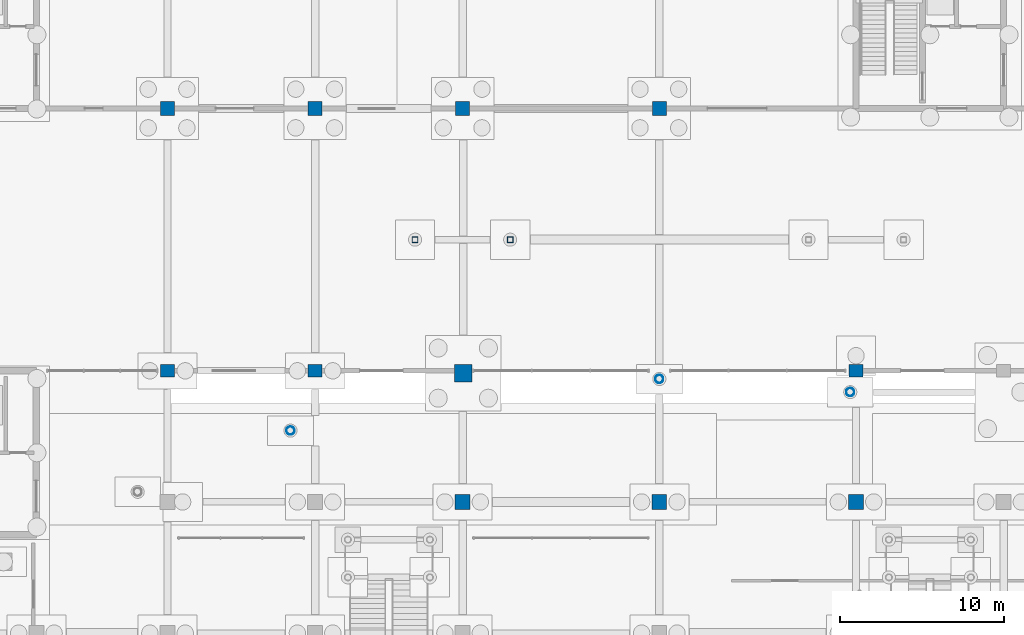
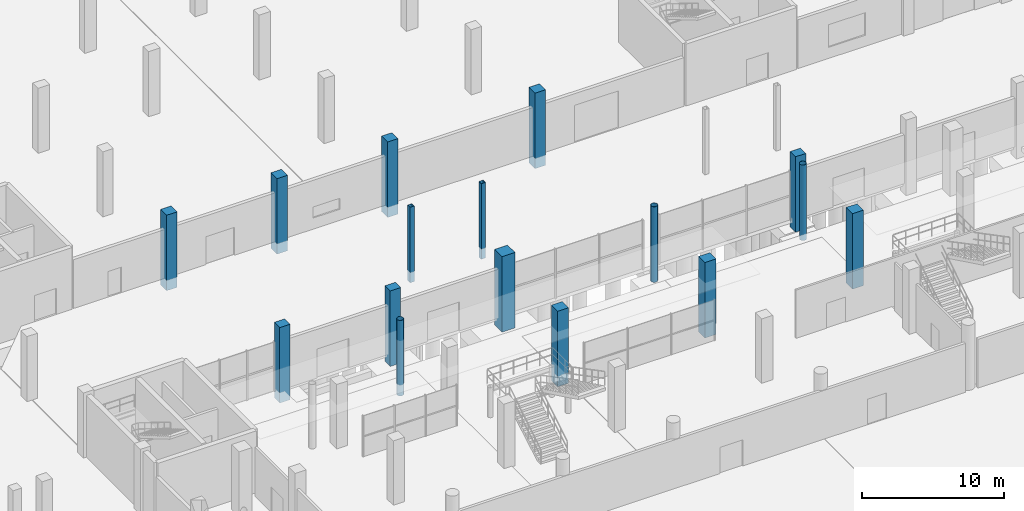
# One storey, part 24 of 98: 16 columns.
"""IFC4 building model written with IfcOpenShell, lengths in metres."""

from ifc_helpers import new_model, si_unit, derived_unit, direction, frame, origin, origin_2d, place, context, subcontext, project, spatial, rectangle, hollow_rectangle, hollow_circle, extrude, material, material_profile, profile_set, type_object, element, save


model = new_model("IFC4")

# Units and contexts
model_context = context("Model", 3, precision=1e-05, world=origin(), true_north=direction((0.0, 1.0)))
body_context = subcontext(model_context, "Body", "Model", "MODEL_VIEW")
ifc_project = project(units=[si_unit("LENGTHUNIT", "METRE"), si_unit("AREAUNIT", "SQUARE_METRE"), si_unit("VOLUMEUNIT", "CUBIC_METRE"), si_unit("PLANEANGLEUNIT", "RADIAN"), si_unit("MASSUNIT", "GRAM", prefix="KILO"), si_unit("THERMODYNAMICTEMPERATUREUNIT", "KELVIN"), derived_unit("THERMALTRANSMITTANCEUNIT", [(si_unit("POWERUNIT", "WATT"), 1), (si_unit("AREAUNIT", "SQUARE_METRE"), -1), (si_unit("THERMODYNAMICTEMPERATUREUNIT", "KELVIN"), -1)])], contexts=[model_context])

# Site, building, storey
site_placement = place(None, origin())
site = spatial("IfcSite", under=ifc_project, at=site_placement, CompositionType="ELEMENT")
building_placement = place(site_placement, origin())
building = spatial("IfcBuilding", under=site, at=building_placement, Name="Haiyu Intermodal Mobility Hub", CompositionType="ELEMENT")
storey_placement = place(building_placement, origin())
storey = spatial("IfcBuildingStorey", under=building, at=storey_placement, Name="L00", CompositionType="ELEMENT", Elevation=0.0)

# Columns
ifc_material_1 = material(Name="Precast concrete C40", Category="concrete")
ifc_material_profile_1 = material_profile(ifc_material_1, rectangle(XDim=0.85009765625, YDim=0.85009765625, at=origin_2d()), Name="RC850x850")
ifc_profile_set_1 = profile_set([ifc_material_profile_1], Name="Precast concrete C40")
column_type_1 = type_object("IfcColumnType", Name="COL-CC01-EXT", PredefinedType="COLUMN", material=ifc_profile_set_1)
for number, where, z_axis, x_axis, name in (
    (1, (78.0, 104.0, -0.89990234375), (0.0, 0.0, 1.0), (1.0, 0.0, 0.0), "Column V4-9M L00"),
    (2, (87.0, 104.0, -0.89990234375), (0.0, 0.0, 1.0), (1.0, 0.0, 0.0), "Column V4-10M L00"),
    (3, (96.0, 104.0, -0.89990234375), (0.0, 0.0, 1.0), (1.0, 0.0, 0.0), "Column V4-11M L00"),
    (4, (108.0, 104.0, -0.89990234375), (0.0, 0.0, 1.0), (1.0, 0.0, 0.0), "Column V4-12M L00"),
):
    element("IfcColumn", number, at=place(storey_placement, frame(where, z_axis=z_axis, x_axis=x_axis)), inside=storey, type_object=column_type_1, Name=name, PredefinedType="COLUMN", context=body_context, shape_type="SweptSolid", body=[
        extrude(rectangle(XDim=0.85009765625, YDim=0.85009765625, at=origin_2d()), origin(), (0.0, 0.0, 1.0), 6.5),
    ])
ifc_material_2 = material(Name="Concrete C40", Category="concrete")
ifc_material_profile_2 = material_profile(ifc_material_2, rectangle(XDim=0.89990234375, YDim=0.89990234375, at=origin_2d()), Name="RC900x900")
ifc_profile_set_2 = profile_set([ifc_material_profile_2], Name="Concrete C40")
column_type_2 = type_object("IfcColumnType", Name="COL-CC06", PredefinedType="COLUMN", material=ifc_profile_set_2)
for number, where, z_axis, x_axis, name in (
    (5, (96.0, 80.0, -0.89990234375), (0.0, 0.0, 1.0), (1.0, 0.0, 0.0), "Column V1-11J L00"),
    (6, (108.0, 80.0, -0.89990234375), (0.0, 0.0, 1.0), (1.0, 0.0, 0.0), "Column V1-12J L00"),
    (7, (120.0, 80.0, -0.89990234375), (0.0, 0.0, 1.0), (1.0, 0.0, 0.0), "Column V1-13J L00"),
):
    element("IfcColumn", number, at=place(storey_placement, frame(where, z_axis=z_axis, x_axis=x_axis)), inside=storey, type_object=column_type_2, Name=name, PredefinedType="COLUMN", context=body_context, shape_type="SweptSolid", body=[
        extrude(rectangle(XDim=0.89990234375, YDim=0.89990234375, at=origin_2d()), origin(), (0.0, 0.0, 1.0), 6.5),
    ])
ifc_material_profile_3 = material_profile(ifc_material_2, rectangle(XDim=1.050048828125, YDim=1.050048828125, at=origin_2d()), Name="RC1050x1050")
ifc_profile_set_3 = profile_set([ifc_material_profile_3], Name="Concrete C40")
column_type_3 = type_object("IfcColumnType", Name="COL-CC12-EXT", PredefinedType="COLUMN", material=ifc_profile_set_3)
column_placement = place(storey_placement, frame((96.04296875, 87.85791015625, -0.89990234375), z_axis=(0.0, 0.0, 1.0), x_axis=(1.0, 0.0, 0.0)))
element("IfcColumn", 8, at=column_placement, inside=storey, type_object=column_type_3, Name="Column MP-03 L00", PredefinedType="COLUMN", context=body_context, shape_type="SweptSolid", body=[
    extrude(rectangle(XDim=1.050048828125, YDim=1.050048828125, at=origin_2d()), origin(), (0.0, 0.0, 1.0), 6.5),
])
ifc_material_profile_4 = material_profile(ifc_material_2, rectangle(XDim=0.85009765625, YDim=0.75, at=origin_2d()), Name="C850x750")
ifc_profile_set_4 = profile_set([ifc_material_profile_4], Name="Concrete C40")
column_type_4 = type_object("IfcColumnType", Name="COL-CC13-EXT", PredefinedType="COLUMN", material=ifc_profile_set_4)
for number, where, z_axis, x_axis, name in (
    (9, (78.0, 88.0, -0.89990234375), (0.0, 0.0, 1.0), (1.0, 0.0, 0.0), "Column V1-9K L00"),
    (10, (87.0, 88.0, -0.89990234375), (0.0, 0.0, 1.0), (1.0, 0.0, 0.0), "Column V1-10K L00"),
    (11, (120.0, 88.0, -0.89990234375), (0.0, 0.0, 1.0), (1.0, 0.0, 0.0), "Column V1-13K L00"),
):
    element("IfcColumn", number, at=place(storey_placement, frame(where, z_axis=z_axis, x_axis=x_axis)), inside=storey, type_object=column_type_4, Name=name, PredefinedType="COLUMN", context=body_context, shape_type="SweptSolid", body=[
        extrude(rectangle(XDim=0.85009765625, YDim=0.75, at=origin_2d()), origin(), (0.0, 0.0, 1.0), 6.5),
    ])
ifc_material_3 = material(Name="Steel Q355C", Category="steel")
ifc_material_profile_5 = material_profile(ifc_material_3, hollow_circle(Radius=0.25390625, WallThickness=0.01611328125, at=origin_2d()), Name="CHS508x16")
ifc_profile_set_5 = profile_set([ifc_material_profile_5], Name="Steel Q355C")
column_type_5 = type_object("IfcColumnType", Name="COL-SC02-EXT", PredefinedType="COLUMN", material=ifc_profile_set_5)
for number, where, z_axis, x_axis, name in (
    (12, (119.64697265625, 86.698974609375, -0.89990234375), (0.0, 0.0, 1.0), (1.0, 0.0, 0.0), "Column RCOL-06 L00"),
    (13, (108.0, 87.5, -0.89990234375), (0.0, 0.0, 1.0), (1.0, 0.0, 0.0), "Column RCOL-07 L00"),
    (14, (85.5, 84.35205078125, -0.89990234375), (0.0, 0.0, 1.0), (1.0, 0.0, 0.0), "Column RCOL-09 L00"),
):
    element("IfcColumn", number, at=place(storey_placement, frame(where, z_axis=z_axis, x_axis=x_axis)), inside=storey, type_object=column_type_5, Name=name, PredefinedType="COLUMN", context=body_context, shape_type="SweptSolid", body=[
        extrude(hollow_circle(Radius=0.25390625, WallThickness=0.01611328125, at=origin_2d()), origin(), (0.0, 0.0, 1.0), 6.5),
    ])
ifc_material_profile_6 = material_profile(ifc_material_3, hollow_rectangle(XDim=0.35009765625, YDim=0.35009765625, WallThickness=0.01611328125, at=origin_2d()), Name="SHS350x350x16")
ifc_profile_set_6 = profile_set([ifc_material_profile_6], Name="Steel Q355C")
column_type_6 = type_object("IfcColumnType", Name="COL-SC08-EXT", PredefinedType="COLUMN", material=ifc_profile_set_6)
for number, where, z_axis, x_axis, name in (
    (15, (93.10009765625, 96.0, -0.89990234375), (0.0, 0.0, 1.0), (1.0, 0.0, 0.0), "Column BRG-BWW L00"),
    (16, (98.89990234375, 96.0, -0.89990234375), (0.0, 0.0, 1.0), (1.0, 0.0, 0.0), "Column BRG-BWE L00"),
):
    element("IfcColumn", number, at=place(storey_placement, frame(where, z_axis=z_axis, x_axis=x_axis)), inside=storey, type_object=column_type_6, Name=name, PredefinedType="COLUMN", context=body_context, shape_type="SweptSolid", body=[
        extrude(hollow_rectangle(XDim=0.35009765625, YDim=0.35009765625, WallThickness=0.01611328125, at=origin_2d()), origin(), (0.0, 0.0, 1.0), 6.5),
    ])

save(model, "model.ifc")
